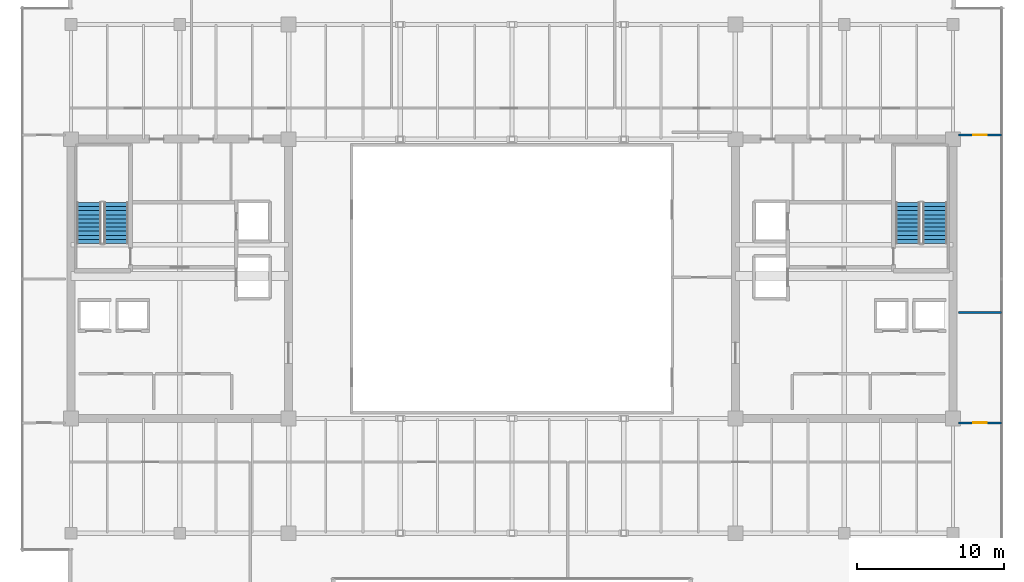
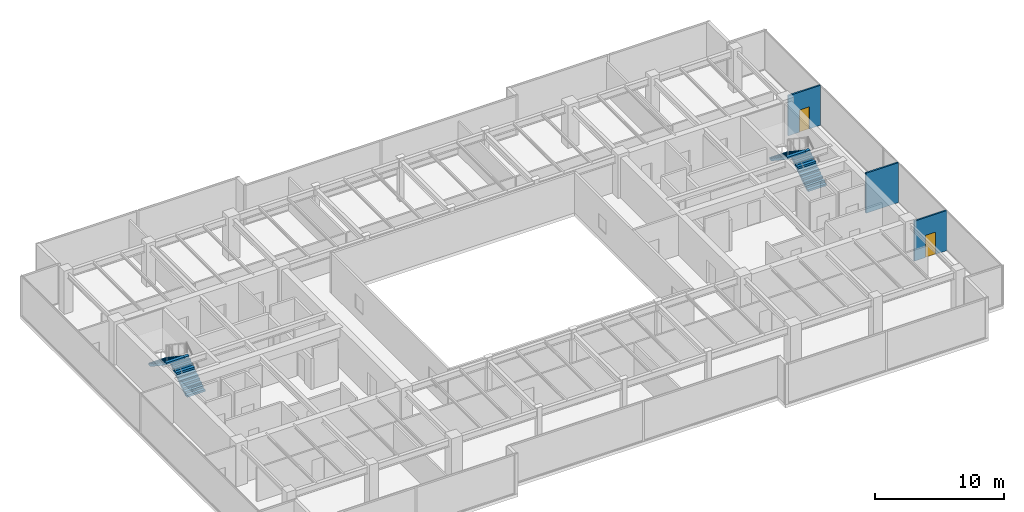
# One storey, part 31 of 33: 4 stair flights, 3 walls, 2 doors, 2 openings, 2 elements without a shape of their own.
"""IFC4 building model written with IfcOpenShell, lengths in metres."""

from ifc_helpers import new_model, si_unit, direction, frame, frame_2d, origin, place, context, subcontext, project, spatial, polyline, rectangle, outline, extrude, source, transform, mapped, material, layer, layer_set, type_object, type_shapes, element, fill, aggregate, save


model = new_model("IFC4")

# Units and contexts
model_context = context("Model", 3, precision=1e-05, world=origin(), true_north=direction((0.0, 1.0)))
body_context = subcontext(model_context, "Body", "Model", "MODEL_VIEW")
ifc_project = project(units=[si_unit("LENGTHUNIT", "METRE"), si_unit("AREAUNIT", "SQUARE_METRE"), si_unit("VOLUMEUNIT", "CUBIC_METRE"), si_unit("PLANEANGLEUNIT", "RADIAN"), si_unit("MASSUNIT", "GRAM", prefix="KILO")], contexts=[model_context])

# Site, building, storey
site_placement = place(None, origin())
site = spatial("IfcSite", under=ifc_project, at=site_placement, CompositionType="ELEMENT")
building_placement = place(site_placement, origin())
building = spatial("IfcBuilding", under=site, at=building_placement, Name="Haelvirn Gate Laboratories", CompositionType="ELEMENT")
storey_placement = place(building_placement, frame((0.0, 0.0, 287.5)))
storey = spatial("IfcBuildingStorey", under=building, at=storey_placement, Name="L69", CompositionType="ELEMENT", Elevation=287.5)

# Wall
ifc_material_1 = material(Name="Acoustic mineral-wool gypsum board partition", Category="gypsum")
ifc_layer = layer(ifc_material_1, 0.139892578125, Name="IW-PART-140")
ifc_layer_set = layer_set([ifc_layer], Name="Acoustic mineral-wool gypsum board partition")
wall_type = type_object("IfcWallType", Name="IW-PART-140", PredefinedType="PARTITIONING", material=ifc_layer_set)
wall_1_placement = place(storey_placement, frame((67.780029296875, 22.0, 0.0), z_axis=(0.0, 0.0, 1.0), x_axis=(1.0, 0.0, 0.0)))
element("IfcWall", 1, at=wall_1_placement, inside=storey, type_object=wall_type, Name="L69 Interior Wall IW-L69-EZ3-MID", PredefinedType="PARTITIONING", context=body_context, shape_type="SweptSolid", body=[
    extrude(rectangle(XDim=2.909912109375, YDim=0.139892578125, at=frame_2d((1.455078125, 0.0))), origin(), (0.0, 0.0, 1.0), 3.800048828125),
])

# Wall, opening, door
wall_2_placement = place(storey_placement, frame((67.780029296875, 14.5048828125, 0.0), z_axis=(0.0, 0.0, 1.0), x_axis=(1.0, 0.0, 0.0)))
wall_2 = element("IfcWall", 2, at=wall_2_placement, inside=storey, type_object=wall_type, Name="L69 Interior Wall IW-L69-EZ3-ENT-S", PredefinedType="PARTITIONING", context=body_context, shape_type="SweptSolid", body=[
    extrude(rectangle(XDim=2.909912109375, YDim=0.139892578125, at=frame_2d((1.455078125, 0.0))), origin(), (0.0, 0.0, 1.0), 3.800048828125),
])
opening_1_placement = place(wall_2_placement, frame((1.0048828125, 0.0, 0.0)))
opening_1 = element("IfcOpeningElement", 3, at=opening_1_placement, cuts=wall_2, Name="Opening D4", PredefinedType="OPENING", context=body_context, shape_type="SweptSolid", body=[
    extrude(rectangle(XDim=0.89990234375, YDim=2.10009765625, at=frame_2d((0.449951171875, 1.050048828125))), frame((0.0, 0.080078125, 0.0), z_axis=(0.0, -1.0, 0.0), x_axis=(1.0, 0.0, 0.0)), (0.0, 0.0, 1.0), 0.159912109375),
])
ifc_material_2 = material(Name="Glazed aluminium-framed write-up door", Category="aluminium")
door_type = type_object("IfcDoorType", Name="DR-OFF-900", OperationType="NOTDEFINED", PredefinedType="DOOR", material=ifc_material_2)
shared_shape_1 = source(origin(), body_context, "Body", "SweptSolid", [
    extrude(rectangle(XDim=0.89990234375, YDim=2.10009765625, at=frame_2d((0.449951171875, 1.050048828125))), frame((0.0, 0.02490234375, 0.0), z_axis=(0.0, -1.0, 0.0), x_axis=(1.0, 0.0, 0.0)), (0.0, 0.0, 1.0), 0.050048828125),
])
type_shapes(door_type, [shared_shape_1])
door_1_placement = place(opening_1_placement, origin())
door_1 = element("IfcDoor", 4, at=door_1_placement, inside=storey, type_object=door_type, Name="L69 Proteomics Mass-Spec Laboratory Door E-S", OperationType="SINGLE_SWING_LEFT", OverallHeight=2.10009765625, OverallWidth=0.89990234375, PredefinedType="DOOR", context=body_context, shape_type="MappedRepresentation", body=[
    mapped(shared_shape_1, transform((0.0, 0.0, 0.0), scale=1.0)),
])
fill(opening_1, door_1)

wall_3_placement = place(storey_placement, frame((67.780029296875, 34.094970703125, 0.0), z_axis=(0.0, 0.0, 1.0), x_axis=(1.0, 0.0, 0.0)))
wall_3 = element("IfcWall", 5, at=wall_3_placement, inside=storey, type_object=wall_type, Name="L69 Interior Wall IW-L69-EZ3-ENT-N", PredefinedType="PARTITIONING", context=body_context, shape_type="SweptSolid", body=[
    extrude(rectangle(XDim=2.909912109375, YDim=0.139892578125, at=frame_2d((1.455078125, 0.0))), origin(), (0.0, 0.0, 1.0), 3.800048828125),
])
opening_2_placement = place(wall_3_placement, frame((1.0048828125, 0.0, 0.0)))
opening_2 = element("IfcOpeningElement", 6, at=opening_2_placement, cuts=wall_3, Name="Opening D4", PredefinedType="OPENING", context=body_context, shape_type="SweptSolid", body=[
    extrude(rectangle(XDim=0.89990234375, YDim=2.10009765625, at=frame_2d((0.449951171875, 1.050048828125))), frame((0.0, 0.080078125, 0.0), z_axis=(0.0, -1.0, 0.0), x_axis=(1.0, 0.0, 0.0)), (0.0, 0.0, 1.0), 0.159912109375),
])
door_2_placement = place(opening_2_placement, origin())
door_2 = element("IfcDoor", 7, at=door_2_placement, inside=storey, type_object=door_type, Name="L69 Bioprocess Foundry Laboratory Door E-N", OperationType="SINGLE_SWING_RIGHT", OverallHeight=2.10009765625, OverallWidth=0.89990234375, PredefinedType="DOOR", context=body_context, shape_type="MappedRepresentation", body=[
    mapped(shared_shape_1, transform((0.0, 0.0, 0.0), scale=1.0)),
])
fill(opening_2, door_2)

# Stair, stair flights
ifc_material_3 = material(Name="Concrete C40/50", Category="concrete")
stair_type = type_object("IfcStairType", Name="ST-DOG-1650-R22", PredefinedType="HALF_TURN_STAIR", material=ifc_material_3)
stair_1_placement = place(storey_placement, origin())
stair_1 = element("IfcStair", 8, at=stair_1_placement, inside=storey, type_object=stair_type, Name="L69 Escape Stair ST1", PredefinedType="HALF_TURN_STAIR")
stair_flight_type = type_object("IfcStairFlightType", Name="STF-1650-R11", PredefinedType="STRAIGHT", material=ifc_material_3)
shared_shape_2 = source(origin(), body_context, "Body", "SweptSolid", [
    extrude(outline(polyline([(0.0, 0.0), (0.0, 0.186279296875), (0.280029296875, 0.186279296875), (0.280029296875, 0.372802734375), (0.56005859375, 0.372802734375), (0.56005859375, 0.55908203125), (0.840087890625, 0.55908203125), (0.840087890625, 0.745361328125), (1.1201171875, 0.745361328125), (1.1201171875, 0.931884765625), (1.39990234375, 0.931884765625), (1.39990234375, 1.1181640625), (1.679931640625, 1.1181640625), (1.679931640625, 1.304443359375), (1.9599609375, 1.304443359375), (1.9599609375, 1.490966796875), (2.239990234375, 1.490966796875), (2.239990234375, 1.67724609375), (2.52001953125, 1.67724609375), (2.52001953125, 1.863525390625), (2.800048828125, 1.863525390625), (2.800048828125, 2.050048828125), (2.800048828125, 1.671630859375), (0.28857421875, 0.0), (0.0, 0.0)])), frame((0.0, 0.824951171875, 0.0), z_axis=(0.0, -1.0, 0.0), x_axis=(1.0, 0.0, 0.0)), (0.0, 0.0, 1.0), 1.64990234375),
])
type_shapes(stair_flight_type, [shared_shape_2])
stair_flight_1_placement = place(storey_placement, frame((10.47509765625, 26.699951171875, 0.0), z_axis=(0.0, 0.0, 1.0), x_axis=(0.0, 1.0, 0.0)))
stair_flight_1 = element("IfcStairFlight", 9, at=stair_flight_1_placement, type_object=stair_flight_type, Name="ST1 flight 1", NumberOfRisers=11, NumberOfTreads=10, PredefinedType="STRAIGHT", RiserHeight=0.186363636, TreadLength=0.28, context=body_context, shape_type="MappedRepresentation", body=[
    mapped(shared_shape_2, transform((0.0, 0.0, 0.0), scale=1.0)),
])
stair_flight_2_placement = place(storey_placement, frame((8.625, 29.5, 2.050048828125), z_axis=(0.0, 0.0, 1.0), x_axis=(0.0, -1.0, 0.0)))
stair_flight_2 = element("IfcStairFlight", 10, at=stair_flight_2_placement, type_object=stair_flight_type, Name="ST1 flight 2", NumberOfRisers=11, NumberOfTreads=10, PredefinedType="STRAIGHT", RiserHeight=0.186363636, TreadLength=0.28, context=body_context, shape_type="MappedRepresentation", body=[
    mapped(shared_shape_2, transform((0.0, 0.0, 0.0), scale=1.0)),
])
aggregate(stair_1, [stair_flight_1, stair_flight_2])

stair_2_placement = place(storey_placement, origin())
stair_2 = element("IfcStair", 11, at=stair_2_placement, inside=storey, type_object=stair_type, Name="L69 Escape Stair ST2", PredefinedType="HALF_TURN_STAIR")
stair_flight_3_placement = place(storey_placement, frame((66.175048828125, 26.699951171875, 0.0), z_axis=(0.0, 0.0, 1.0), x_axis=(0.0, 1.0, 0.0)))
stair_flight_3 = element("IfcStairFlight", 12, at=stair_flight_3_placement, type_object=stair_flight_type, Name="ST2 flight 1", NumberOfRisers=11, NumberOfTreads=10, PredefinedType="STRAIGHT", RiserHeight=0.186363636, TreadLength=0.28, context=body_context, shape_type="MappedRepresentation", body=[
    mapped(shared_shape_2, transform((0.0, 0.0, 0.0), scale=1.0)),
])
stair_flight_4_placement = place(storey_placement, frame((64.324951171875, 29.5, 2.050048828125), z_axis=(0.0, 0.0, 1.0), x_axis=(0.0, -1.0, 0.0)))
stair_flight_4 = element("IfcStairFlight", 13, at=stair_flight_4_placement, type_object=stair_flight_type, Name="ST2 flight 2", NumberOfRisers=11, NumberOfTreads=10, PredefinedType="STRAIGHT", RiserHeight=0.186363636, TreadLength=0.28, context=body_context, shape_type="MappedRepresentation", body=[
    mapped(shared_shape_2, transform((0.0, 0.0, 0.0), scale=1.0)),
])
aggregate(stair_2, [stair_flight_3, stair_flight_4])

save(model, "model.ifc")
